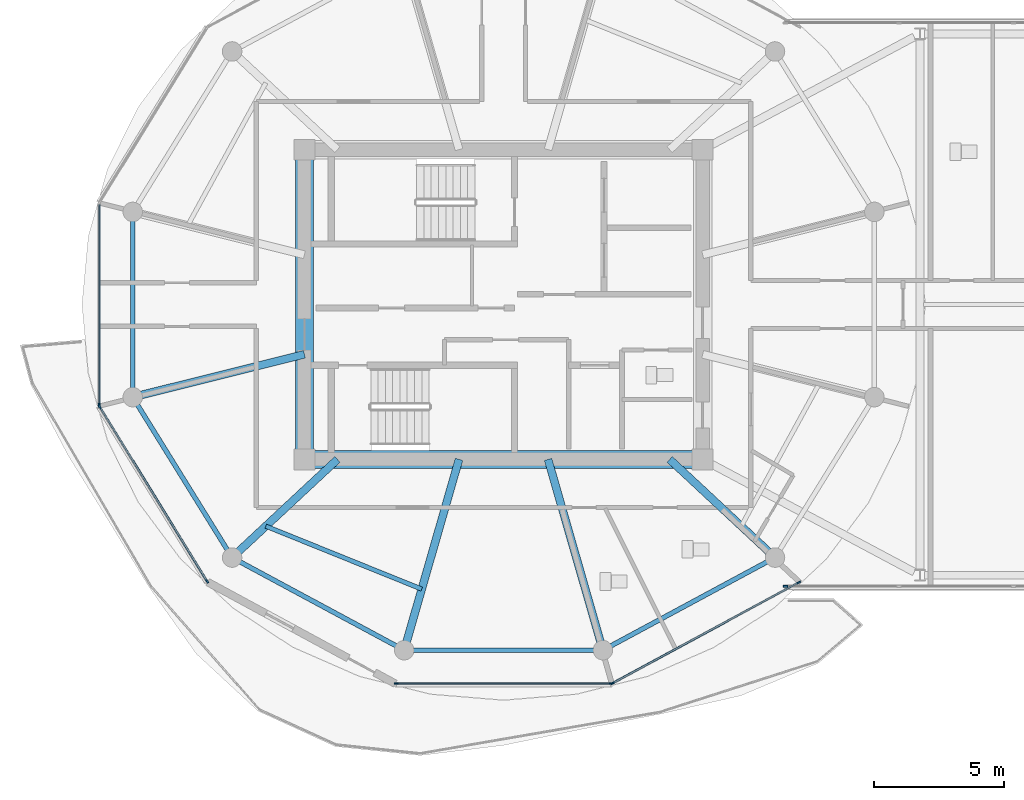
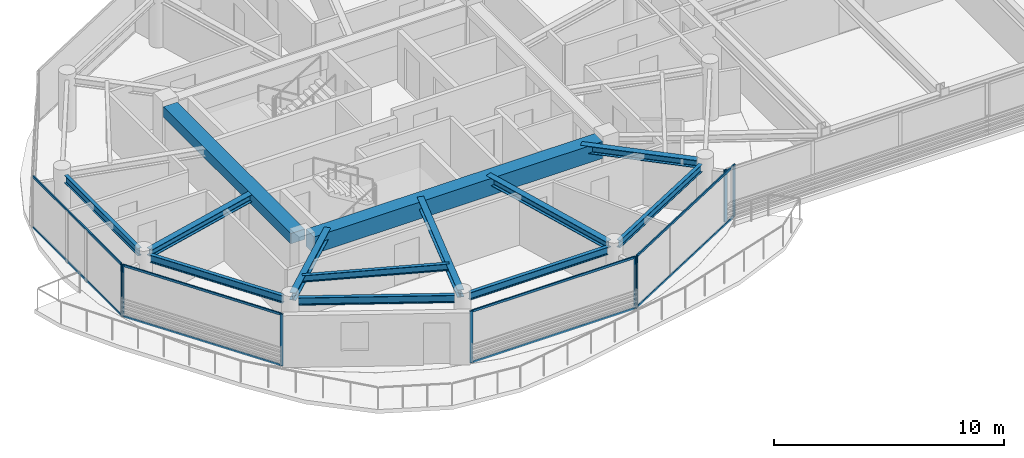
# One storey, part 3 of 24: 16 members, 13 beams, 5 elements without a shape of their own.
"""IFC4 building model written with IfcOpenShell, lengths in metres."""

from ifc_helpers import new_model, si_unit, direction, frame, origin, origin_2d, place, context, subcontext, project, spatial, rectangle, i_section, extrude, source, transform, mapped, material, layer, layer_set, material_profile, profile_set, type_object, type_shapes, element, aggregate, save


model = new_model("IFC4")

# Units and contexts
model_context = context("Model", 3, precision=1e-05, world=origin(), true_north=direction((0.0, 1.0)))
body_context = subcontext(model_context, "Body", "Model", "MODEL_VIEW")
ifc_project = project(units=[si_unit("LENGTHUNIT", "METRE"), si_unit("AREAUNIT", "SQUARE_METRE"), si_unit("VOLUMEUNIT", "CUBIC_METRE"), si_unit("PLANEANGLEUNIT", "RADIAN"), si_unit("MASSUNIT", "GRAM", prefix="KILO")], contexts=[model_context])

# Site, building, storey
site_placement = place(None, origin())
site = spatial("IfcSite", under=ifc_project, at=site_placement, CompositionType="ELEMENT")
building_placement = place(site_placement, origin())
building = spatial("IfcBuilding", under=site, at=building_placement, Name="Norrkilde Senior Care Towers", CompositionType="ELEMENT")
storey_placement = place(building_placement, frame((0.0, 0.0, 226.10009765625)))
storey = spatial("IfcBuildingStorey", under=building, at=storey_placement, Name="L70", CompositionType="ELEMENT", Elevation=226.10009765625)

# Beams
ifc_material_1 = material(Name="Concrete C60/75", Category="concrete")
ifc_material_profile_1 = material_profile(ifc_material_1, rectangle(XDim=0.699951171875, YDim=0.89990234375, at=origin_2d()), Name="RC BM 700x900")
ifc_profile_set_1 = profile_set([ifc_material_profile_1], Name="Concrete C60/75")
beam_type_1 = type_object("IfcBeamType", Name="Core Coupling Girder 700x900", PredefinedType="USERDEFINED", material=ifc_profile_set_1)
shared_shape_1 = source(origin(), body_context, "Body", "SweptSolid", [
    extrude(rectangle(XDim=0.699951171875, YDim=0.89990234375, at=origin_2d()), origin(), (0.0, 0.0, 1.0), 14.5400390625),
])
type_shapes(beam_type_1, [shared_shape_1])
beam_1_placement = place(storey_placement, frame((-35.27001953125, -5.949951171875, 2.309814453125), z_axis=(1.0, 0.0, 0.0), x_axis=(0.0, 1.0, 0.0)))
element("IfcBeam", 1, at=beam_1_placement, inside=storey, type_object=beam_type_1, Name="L70 Core W S Coupling Girder", ObjectType="GIRDER", PredefinedType="USERDEFINED", context=body_context, shape_type="MappedRepresentation", body=[
    mapped(shared_shape_1, transform((0.0, 0.0, 0.0), x_axis=(1.0, 0.0, 0.0), y_axis=(0.0, 1.0, 0.0), z_axis=(0.0, 0.0, 1.0), scale=1.0)),
])
ifc_material_profile_2 = material_profile(ifc_material_1, rectangle(XDim=0.699951171875, YDim=0.550048828125, at=origin_2d()), Name="RC BM 700x550")
ifc_profile_set_2 = profile_set([ifc_material_profile_2], Name="Concrete C60/75")
beam_type_2 = type_object("IfcBeamType", Name="Core Portal Coupling Beam 700x550", PredefinedType="USERDEFINED", material=ifc_profile_set_2)
shared_shape_2 = source(origin(), body_context, "Body", "SweptSolid", [
    extrude(rectangle(XDim=0.699951171875, YDim=0.550048828125, at=origin_2d()), origin(), (0.0, 0.0, 1.0), 11.14013671875),
])
type_shapes(beam_type_2, [shared_shape_2])
beam_2_placement = place(storey_placement, frame((-35.64990234375, -5.570068359375, 2.48486328125), z_axis=(0.0, 1.0, 0.0), x_axis=(-1.0, 0.0, 0.0)))
element("IfcBeam", 2, at=beam_2_placement, inside=storey, type_object=beam_type_2, Name="L70 Core W W Coupling Girder", ObjectType="GIRDER", PredefinedType="USERDEFINED", context=body_context, shape_type="MappedRepresentation", body=[
    mapped(shared_shape_2, transform((0.0, 0.0, 0.0), x_axis=(1.0, 0.0, 0.0), y_axis=(0.0, 1.0, 0.0), z_axis=(0.0, 0.0, 1.0), scale=1.0)),
])
ifc_material_2 = material(Name="Steel S355", Category="steel")
ifc_material_profile_3 = material_profile(ifc_material_2, i_section(OverallWidth=0.179931640625, OverallDepth=0.39990234375, WebThickness=0.008544921875, FlangeThickness=0.013427734375, FilletRadius=0.02099609375, at=origin_2d()), Name="IPE 400")
ifc_profile_set_3 = profile_set([ifc_material_profile_3], Name="Steel S355")
beam_type_3 = type_object("IfcBeamType", Name="Perimeter Ring Spandrel Z4 IPE400", PredefinedType="SPANDREL", material=ifc_profile_set_3)
shared_shape_3 = source(origin(), body_context, "Body", "SweptSolid", [
    extrude(i_section(OverallWidth=0.179931640625, OverallDepth=0.39990234375, WebThickness=0.008544921875, FlangeThickness=0.013427734375, FilletRadius=0.02099609375, at=origin_2d()), origin(), (0.0, 0.0, 1.0), 6.58056640625),
])
beam_3_placement = place(storey_placement, frame((-42.071044921875, -3.843505859375, 2.559814453125), z_axis=(0.526529583789, -0.850156807533, 0.0), x_axis=(0.850156807533, 0.526529583789, 0.0)))
element("IfcBeam", 3, at=beam_3_placement, inside=storey, type_object=beam_type_3, Name="L70 Drum W Perimeter Spandrel 07", PredefinedType="SPANDREL", context=body_context, shape_type="MappedRepresentation", body=[
    mapped(shared_shape_3, transform((0.0, 0.0, 0.0), x_axis=(1.0, 0.0, 0.0), y_axis=(0.0, 1.0, 0.0), z_axis=(0.0, 0.0, 1.0), scale=1.0)),
])
ifc_material_profile_4 = material_profile(ifc_material_2, i_section(OverallWidth=0.300048828125, OverallDepth=0.39990234375, WebThickness=0.013427734375, FlangeThickness=0.02392578125, FilletRadius=0.027099609375, at=origin_2d()), Name="HEB 400")
ifc_profile_set_4 = profile_set([ifc_material_profile_4], Name="Steel S355")
beam_type_4 = type_object("IfcBeamType", Name="Radial Floor Beam Z4 HEB400", PredefinedType="BEAM", material=ifc_profile_set_4)
shared_shape_4 = source(origin(), body_context, "Body", "SweptSolid", [
    extrude(i_section(OverallWidth=0.300048828125, OverallDepth=0.39990234375, WebThickness=0.013427734375, FlangeThickness=0.02392578125, FilletRadius=0.027099609375, at=origin_2d()), origin(), (0.0, 0.0, 1.0), 6.465087890625),
])
beam_4_placement = place(storey_placement, frame((-35.64990234375, -1.910888671875, 2.559814453125), z_axis=(-0.970195788563, -0.242322371758, 0.0), x_axis=(0.242322371758, -0.970195788563, 0.0)))
element("IfcBeam", 4, at=beam_4_placement, inside=storey, type_object=beam_type_4, Name="L70 Drum W Radial Floor Beam 07", PredefinedType="BEAM", context=body_context, shape_type="MappedRepresentation", body=[
    mapped(shared_shape_4, transform((0.0, 0.0, 0.0), x_axis=(1.0, 0.0, 0.0), y_axis=(0.0, 1.0, 0.0), z_axis=(0.0, 0.0, 1.0), scale=1.0)),
])
shared_shape_5 = source(origin(), body_context, "Body", "SweptSolid", [
    extrude(i_section(OverallWidth=0.179931640625, OverallDepth=0.39990234375, WebThickness=0.008544921875, FlangeThickness=0.013427734375, FilletRadius=0.02099609375, at=origin_2d()), origin(), (0.0, 0.0, 1.0), 6.839111328125),
])
for number, where, z_axis, x_axis, name in (
    (5, (-38.134765625, -9.881591796875, 2.559814453125), (0.880563930732, -0.473927382511, 0.0), (0.473927382511, 0.880563930732, 0.0), "L70 Drum W Perimeter Spandrel 08"),
    (6, (-23.887451171875, -13.122802734375, 2.559814453125), (0.880563930732, 0.473927382511, 0.0), (-0.473927382511, 0.880563930732, 0.0), "L70 Drum W Perimeter Spandrel 10"),
):
    element("IfcBeam", number, at=place(storey_placement, frame(where, z_axis=z_axis, x_axis=x_axis)), inside=storey, type_object=beam_type_3, Name=name, PredefinedType="SPANDREL", context=body_context, shape_type="MappedRepresentation", body=[
        mapped(shared_shape_5, transform((0.0, 0.0, 0.0), x_axis=(1.0, 0.0, 0.0), y_axis=(0.0, 1.0, 0.0), z_axis=(0.0, 0.0, 1.0), scale=1.0)),
    ])
shared_shape_6 = source(origin(), body_context, "Body", "SweptSolid", [
    extrude(i_section(OverallWidth=0.300048828125, OverallDepth=0.39990234375, WebThickness=0.013427734375, FlangeThickness=0.02392578125, FilletRadius=0.027099609375, at=origin_2d()), origin(), (0.0, 0.0, 1.0), 5.197998046875),
])
for number, where, z_axis, x_axis, name in (
    (7, (-34.3828125, -5.949951171875, 2.559814453125), (-0.731448749334, -0.681896419625, 0.0), (0.681896419625, -0.731448749334, 0.0), "L70 Drum W Radial Floor Beam 08"),
    (8, (-21.6171875, -5.949951171875, 2.559814453125), (0.731448749334, -0.681896419625, 0.0), (0.681896419625, 0.731448749334, 0.0), "L70 Drum W Radial Floor Beam 11"),
):
    element("IfcBeam", number, at=place(storey_placement, frame(where, z_axis=z_axis, x_axis=x_axis)), inside=storey, type_object=beam_type_4, Name=name, PredefinedType="BEAM", context=body_context, shape_type="MappedRepresentation", body=[
        mapped(shared_shape_6, transform((0.0, 0.0, 0.0), x_axis=(1.0, 0.0, 0.0), y_axis=(0.0, 1.0, 0.0), z_axis=(0.0, 0.0, 1.0), scale=1.0)),
    ])
shared_shape_7 = source(origin(), body_context, "Body", "SweptSolid", [
    extrude(i_section(OverallWidth=0.179931640625, OverallDepth=0.39990234375, WebThickness=0.008544921875, FlangeThickness=0.013427734375, FilletRadius=0.02099609375, at=origin_2d()), origin(), (0.0, 0.0, 1.0), 6.96533203125),
])
beam_5_placement = place(storey_placement, frame((-31.482666015625, -13.281494140625, 2.559814453125), z_axis=(1.0, 0.0, 0.0), x_axis=(0.0, 1.0, 0.0)))
element("IfcBeam", 9, at=beam_5_placement, inside=storey, type_object=beam_type_3, Name="L70 Drum W Perimeter Spandrel 09", PredefinedType="SPANDREL", context=body_context, shape_type="MappedRepresentation", body=[
    mapped(shared_shape_7, transform((0.0, 0.0, 0.0), x_axis=(1.0, 0.0, 0.0), y_axis=(0.0, 1.0, 0.0), z_axis=(0.0, 0.0, 1.0), scale=1.0)),
])
shared_shape_8 = source(origin(), body_context, "Body", "SweptSolid", [
    extrude(i_section(OverallWidth=0.300048828125, OverallDepth=0.39990234375, WebThickness=0.013427734375, FlangeThickness=0.02392578125, FilletRadius=0.027099609375, at=origin_2d()), origin(), (0.0, 0.0, 1.0), 7.29345703125),
])
type_shapes(beam_type_4, [shared_shape_4, shared_shape_6, shared_shape_8])
for number, where, z_axis, x_axis, name in (
    (10, (-29.710205078125, -5.949951171875, 2.559814453125), (-0.276263751906, -0.961081858836, 0.0), (0.961081858836, -0.276263751906, 0.0), "L70 Drum W Radial Floor Beam 09"),
    (11, (-26.289794921875, -5.949951171875, 2.559814453125), (0.276263751906, -0.961081858836, 0.0), (0.961081858836, 0.276263751906, 0.0), "L70 Drum W Radial Floor Beam 10"),
):
    element("IfcBeam", number, at=place(storey_placement, frame(where, z_axis=z_axis, x_axis=x_axis)), inside=storey, type_object=beam_type_4, Name=name, PredefinedType="BEAM", context=body_context, shape_type="MappedRepresentation", body=[
        mapped(shared_shape_8, transform((0.0, 0.0, 0.0), x_axis=(1.0, 0.0, 0.0), y_axis=(0.0, 1.0, 0.0), z_axis=(0.0, 0.0, 1.0), scale=1.0)),
    ])
shared_shape_9 = source(origin(), body_context, "Body", "SweptSolid", [
    extrude(i_section(OverallWidth=0.179931640625, OverallDepth=0.39990234375, WebThickness=0.008544921875, FlangeThickness=0.013427734375, FilletRadius=0.02099609375, at=origin_2d()), origin(), (0.0, 0.0, 1.0), 6.44775390625),
])
type_shapes(beam_type_3, [shared_shape_3, shared_shape_5, shared_shape_7, shared_shape_9])
beam_6_placement = place(storey_placement, frame((-42.247314453125, 3.223876953125, 2.559814453125), z_axis=(0.0, -1.0, 0.0), x_axis=(1.0, 0.0, 0.0)))
element("IfcBeam", 12, at=beam_6_placement, inside=storey, type_object=beam_type_3, Name="L70 Drum W Perimeter Spandrel 06", PredefinedType="SPANDREL", context=body_context, shape_type="MappedRepresentation", body=[
    mapped(shared_shape_9, transform((0.0, 0.0, 0.0), x_axis=(1.0, 0.0, 0.0), y_axis=(0.0, 1.0, 0.0), z_axis=(0.0, 0.0, 1.0), scale=1.0)),
])
ifc_material_profile_5 = material_profile(ifc_material_2, i_section(OverallWidth=0.169921875, OverallDepth=0.360107421875, WebThickness=0.008056640625, FlangeThickness=0.0126953125, FilletRadius=0.01806640625, at=origin_2d()), Name="IPE 360")
ifc_profile_set_5 = profile_set([ifc_material_profile_5], Name="Steel S355")
beam_type_5 = type_object("IfcBeamType", Name="Secondary Floor Joist IPE360", PredefinedType="JOIST", material=ifc_profile_set_5)
shared_shape_10 = source(origin(), body_context, "Body", "SweptSolid", [
    extrude(i_section(OverallWidth=0.169921875, OverallDepth=0.360107421875, WebThickness=0.008056640625, FlangeThickness=0.0126953125, FilletRadius=0.01806640625, at=origin_2d()), origin(), (0.0, 0.0, 1.0), 6.461669921875),
])
type_shapes(beam_type_5, [shared_shape_10])
beam_7_placement = place(storey_placement, frame((-37.134765625, -8.515380859375, 2.579833984375), z_axis=(0.927225942298, -0.374502405772, 0.0), x_axis=(0.374502405772, 0.927225942298, 0.0)))
element("IfcBeam", 13, at=beam_7_placement, inside=storey, type_object=beam_type_5, Name="L70 Drum W Secondary Floor Joist 3", PredefinedType="JOIST", context=body_context, shape_type="MappedRepresentation", body=[
    mapped(shared_shape_10, transform((0.0, 0.0, 0.0), x_axis=(1.0, 0.0, 0.0), y_axis=(0.0, 1.0, 0.0), z_axis=(0.0, 0.0, 1.0), scale=1.0)),
])

# Curtain wall, members
ifc_material_3 = material(Name="Triple Low-E Insulated Glazing", Category="glass")
ifc_layer_1 = layer(ifc_material_3, 0.18505859375)
ifc_layer_set_1 = layer_set([ifc_layer_1], Name="Triple Low-E Insulated Glazing")
curtain_wall_type_1 = type_object("IfcCurtainWallType", Name="CW6 Zone 4 Crown Pavilion Curtain Wall", PredefinedType="NOTDEFINED", material=ifc_layer_set_1)
curtain_wall_1_placement = place(storey_placement, origin())
curtain_wall_1 = element("IfcCurtainWall", 14, at=curtain_wall_1_placement, inside=storey, type_object=curtain_wall_type_1, Name="L70 Drum W Curtain Wall 06", PredefinedType="NOTDEFINED")
ifc_material_4 = material(Name="Anodised Aluminium", Category="aluminium")
ifc_material_profile_6 = material_profile(ifc_material_4, rectangle(XDim=0.06005859375, YDim=0.1201171875, at=origin_2d()), Name="ALU TRAN 60x120")
ifc_profile_set_6 = profile_set([ifc_material_profile_6], Name="Anodised Aluminium")
member_type_1 = type_object("IfcMemberType", Name="Curtain Wall Transom Typical 60x120", PredefinedType="USERDEFINED", material=ifc_profile_set_6)
shared_shape_11 = source(origin(), body_context, "Body", "SweptSolid", [
    extrude(rectangle(XDim=0.06005859375, YDim=0.1201171875, at=origin_2d()), origin(), (0.0, 0.0, 1.0), 7.808837890625),
])
member_1_placement = place(storey_placement, frame((-39.404296875, -10.60791015625, 0.02978515625), z_axis=(-0.524250924101, 0.851563837055, 0.0), x_axis=(-0.851563837055, -0.524250924101, 0.0)))
member_1 = element("IfcMember", 15, at=member_1_placement, type_object=member_type_1, Name="CW-6 transom 1.1", ObjectType="TRANSOM", PredefinedType="USERDEFINED", context=body_context, shape_type="MappedRepresentation", body=[
    mapped(shared_shape_11, transform((0.0, 0.0, 0.0), x_axis=(1.0, 0.0, 0.0), y_axis=(0.0, 1.0, 0.0), z_axis=(0.0, 0.0, 1.0), scale=1.0)),
])
member_2_placement = place(storey_placement, frame((-39.404296875, -10.60791015625, 2.72998046875), z_axis=(-0.524250924101, 0.851563837055, 0.0), x_axis=(-0.851563837055, -0.524250924101, 0.0)))
member_2 = element("IfcMember", 16, at=member_2_placement, type_object=member_type_1, Name="CW-6 transom 1.2", ObjectType="TRANSOM", PredefinedType="USERDEFINED", context=body_context, shape_type="MappedRepresentation", body=[
    mapped(shared_shape_11, transform((0.0, 0.0, 0.0), x_axis=(1.0, 0.0, 0.0), y_axis=(0.0, 1.0, 0.0), z_axis=(0.0, 0.0, 1.0), scale=1.0)),
])

curtain_wall_2_placement = place(storey_placement, origin())
curtain_wall_2 = element("IfcCurtainWall", 17, at=curtain_wall_2_placement, inside=storey, type_object=curtain_wall_type_1, Name="L70 Drum W Curtain Wall 08", PredefinedType="NOTDEFINED")
shared_shape_12 = source(origin(), body_context, "Body", "SweptSolid", [
    extrude(rectangle(XDim=0.06005859375, YDim=0.1201171875, at=origin_2d()), origin(), (0.0, 0.0, 1.0), 8.19384765625),
])
member_3_placement = place(storey_placement, frame((-23.903076171875, -14.566162109375, 0.02978515625), z_axis=(-1.0, 0.0, 0.0), x_axis=(0.0, -1.0, 0.0)))
member_3 = element("IfcMember", 18, at=member_3_placement, type_object=member_type_1, Name="CW-6 transom 1.1", ObjectType="TRANSOM", PredefinedType="USERDEFINED", context=body_context, shape_type="MappedRepresentation", body=[
    mapped(shared_shape_12, transform((0.0, 0.0, 0.0), x_axis=(1.0, 0.0, 0.0), y_axis=(0.0, 1.0, 0.0), z_axis=(0.0, 0.0, 1.0), scale=1.0)),
])
member_4_placement = place(storey_placement, frame((-23.903076171875, -14.566162109375, 2.72998046875), z_axis=(-1.0, 0.0, 0.0), x_axis=(0.0, -1.0, 0.0)))
member_4 = element("IfcMember", 19, at=member_4_placement, type_object=member_type_1, Name="CW-6 transom 1.2", ObjectType="TRANSOM", PredefinedType="USERDEFINED", context=body_context, shape_type="MappedRepresentation", body=[
    mapped(shared_shape_12, transform((0.0, 0.0, 0.0), x_axis=(1.0, 0.0, 0.0), y_axis=(0.0, 1.0, 0.0), z_axis=(0.0, 0.0, 1.0), scale=1.0)),
])

curtain_wall_3_placement = place(storey_placement, origin())
curtain_wall_3 = element("IfcCurtainWall", 20, at=curtain_wall_3_placement, inside=storey, type_object=curtain_wall_type_1, Name="L70 Drum W Curtain Wall 09", PredefinedType="NOTDEFINED")
shared_shape_13 = source(origin(), body_context, "Body", "SweptSolid", [
    extrude(rectangle(XDim=0.06005859375, YDim=0.1201171875, at=origin_2d()), origin(), (0.0, 0.0, 1.0), 8.0673828125),
])
member_5_placement = place(storey_placement, frame((-16.686767578125, -10.694091796875, 0.02978515625), z_axis=(-0.87937750072, -0.476125205411, 0.0), x_axis=(0.476125205411, -0.87937750072, 0.0)))
member_5 = element("IfcMember", 21, at=member_5_placement, type_object=member_type_1, Name="CW-6 transom 1.1", ObjectType="TRANSOM", PredefinedType="USERDEFINED", context=body_context, shape_type="MappedRepresentation", body=[
    mapped(shared_shape_13, transform((0.0, 0.0, 0.0), x_axis=(1.0, 0.0, 0.0), y_axis=(0.0, 1.0, 0.0), z_axis=(0.0, 0.0, 1.0), scale=1.0)),
])
member_6_placement = place(storey_placement, frame((-16.686767578125, -10.694091796875, 2.72998046875), z_axis=(-0.87937750072, -0.476125205411, 0.0), x_axis=(0.476125205411, -0.87937750072, 0.0)))
member_6 = element("IfcMember", 22, at=member_6_placement, type_object=member_type_1, Name="CW-6 transom 1.2", ObjectType="TRANSOM", PredefinedType="USERDEFINED", context=body_context, shape_type="MappedRepresentation", body=[
    mapped(shared_shape_13, transform((0.0, 0.0, 0.0), x_axis=(1.0, 0.0, 0.0), y_axis=(0.0, 1.0, 0.0), z_axis=(0.0, 0.0, 1.0), scale=1.0)),
])

curtain_wall_4_placement = place(storey_placement, origin())
curtain_wall_4 = element("IfcCurtainWall", 23, at=curtain_wall_4_placement, inside=storey, type_object=curtain_wall_type_1, Name="L70 Drum W Curtain Wall 05", PredefinedType="NOTDEFINED")
shared_shape_14 = source(origin(), body_context, "Body", "SweptSolid", [
    extrude(rectangle(XDim=0.06005859375, YDim=0.1201171875, at=origin_2d()), origin(), (0.0, 0.0, 1.0), 7.67578125),
])
type_shapes(member_type_1, [shared_shape_11, shared_shape_12, shared_shape_13, shared_shape_14])
member_7_placement = place(storey_placement, frame((-43.531982421875, -3.837890625, 0.02978515625), z_axis=(0.0, 1.0, 0.0), x_axis=(-1.0, 0.0, 0.0)))
member_7 = element("IfcMember", 24, at=member_7_placement, type_object=member_type_1, Name="CW-6 transom 1.1", ObjectType="TRANSOM", PredefinedType="USERDEFINED", context=body_context, shape_type="MappedRepresentation", body=[
    mapped(shared_shape_14, transform((0.0, 0.0, 0.0), x_axis=(1.0, 0.0, 0.0), y_axis=(0.0, 1.0, 0.0), z_axis=(0.0, 0.0, 1.0), scale=1.0)),
])
member_8_placement = place(storey_placement, frame((-43.531982421875, -3.837890625, 2.72998046875), z_axis=(0.0, 1.0, 0.0), x_axis=(-1.0, 0.0, 0.0)))
member_8 = element("IfcMember", 25, at=member_8_placement, type_object=member_type_1, Name="CW-6 transom 1.2", ObjectType="TRANSOM", PredefinedType="USERDEFINED", context=body_context, shape_type="MappedRepresentation", body=[
    mapped(shared_shape_14, transform((0.0, 0.0, 0.0), x_axis=(1.0, 0.0, 0.0), y_axis=(0.0, 1.0, 0.0), z_axis=(0.0, 0.0, 1.0), scale=1.0)),
])
ifc_material_profile_7 = material_profile(ifc_material_4, rectangle(XDim=0.06494140625, YDim=0.14990234375, at=origin_2d()), Name="ALU MULL 65x150")
ifc_profile_set_7 = profile_set([ifc_material_profile_7], Name="Anodised Aluminium")
member_type_2 = type_object("IfcMemberType", Name="Curtain Wall Mullion Z3-Z4 65x150", PredefinedType="MULLION", material=ifc_profile_set_7)
shared_shape_15 = source(origin(), body_context, "Body", "SweptSolid", [
    extrude(rectangle(XDim=0.06494140625, YDim=0.14990234375, at=origin_2d()), origin(), (0.0, 0.0, 1.0), 2.760009765625),
])
type_shapes(member_type_2, [shared_shape_15])
member_9_placement = place(storey_placement, frame((-43.531982421875, -3.87060546875, 0.0), z_axis=(0.0, 0.0, 1.0), x_axis=(-1.0, 0.0, 0.0)))
member_9 = element("IfcMember", 26, at=member_9_placement, type_object=member_type_2, Name="CW-6 mullion 1", PredefinedType="MULLION", context=body_context, shape_type="MappedRepresentation", body=[
    mapped(shared_shape_15, transform((0.0, 0.0, 0.0), x_axis=(1.0, 0.0, 0.0), y_axis=(0.0, 1.0, 0.0), z_axis=(0.0, 0.0, 1.0), scale=1.0)),
])
aggregate(curtain_wall_4, [member_9, member_7, member_8])

# Member
member_10_placement = place(storey_placement, frame((-39.38720703125, -10.635498046875, 0.0), z_axis=(0.0, 0.0, 1.0), x_axis=(-0.851562727283, -0.524252726748, 0.0)))
member_10 = element("IfcMember", 27, at=member_10_placement, type_object=member_type_2, Name="CW-6 mullion 1", PredefinedType="MULLION", context=body_context, shape_type="MappedRepresentation", body=[
    mapped(shared_shape_15, transform((0.0, 0.0, 0.0), x_axis=(1.0, 0.0, 0.0), y_axis=(0.0, 1.0, 0.0), z_axis=(0.0, 0.0, 1.0), scale=1.0)),
])

member_11_placement = place(storey_placement, frame((-43.51513671875, -3.9306640625, 0.0), z_axis=(0.0, 0.0, 1.0), x_axis=(-0.851562727283, -0.524252726748, 0.0)))
member_11 = element("IfcMember", 28, at=member_11_placement, type_object=member_type_2, Name="CW-6 mullion 2", PredefinedType="MULLION", context=body_context, shape_type="MappedRepresentation", body=[
    mapped(shared_shape_15, transform((0.0, 0.0, 0.0), x_axis=(1.0, 0.0, 0.0), y_axis=(0.0, 1.0, 0.0), z_axis=(0.0, 0.0, 1.0), scale=1.0)),
])

aggregate(curtain_wall_1, [member_10, member_11, member_1, member_2])

member_12_placement = place(storey_placement, frame((-23.87060546875, -14.566162109375, 0.0), z_axis=(0.0, 0.0, 1.0), x_axis=(0.0, -1.0, 0.0)))
member_12 = element("IfcMember", 29, at=member_12_placement, type_object=member_type_2, Name="CW-6 mullion 1", PredefinedType="MULLION", context=body_context, shape_type="MappedRepresentation", body=[
    mapped(shared_shape_15, transform((0.0, 0.0, 0.0), x_axis=(1.0, 0.0, 0.0), y_axis=(0.0, 1.0, 0.0), z_axis=(0.0, 0.0, 1.0), scale=1.0)),
])

member_13_placement = place(storey_placement, frame((-32.12939453125, -14.566162109375, 0.0), z_axis=(0.0, 0.0, 1.0), x_axis=(0.0, -1.0, 0.0)))
member_13 = element("IfcMember", 30, at=member_13_placement, type_object=member_type_2, Name="CW-6 mullion 2", PredefinedType="MULLION", context=body_context, shape_type="MappedRepresentation", body=[
    mapped(shared_shape_15, transform((0.0, 0.0, 0.0), x_axis=(1.0, 0.0, 0.0), y_axis=(0.0, 1.0, 0.0), z_axis=(0.0, 0.0, 1.0), scale=1.0)),
])

aggregate(curtain_wall_2, [member_12, member_13, member_3, member_4])

member_14_placement = place(storey_placement, frame((-16.658203125, -10.6787109375, 0.0), z_axis=(0.0, 0.0, 1.0), x_axis=(0.476132676136, -0.879373455772, 0.0)))
member_14 = element("IfcMember", 31, at=member_14_placement, type_object=member_type_2, Name="CW-6 mullion 1", PredefinedType="MULLION", context=body_context, shape_type="MappedRepresentation", body=[
    mapped(shared_shape_15, transform((0.0, 0.0, 0.0), x_axis=(1.0, 0.0, 0.0), y_axis=(0.0, 1.0, 0.0), z_axis=(0.0, 0.0, 1.0), scale=1.0)),
])

member_15_placement = place(storey_placement, frame((-23.8095703125, -14.55078125, 0.0), z_axis=(0.0, 0.0, 1.0), x_axis=(0.476132676136, -0.879373455772, 0.0)))
member_15 = element("IfcMember", 32, at=member_15_placement, type_object=member_type_2, Name="CW-6 mullion 2", PredefinedType="MULLION", context=body_context, shape_type="MappedRepresentation", body=[
    mapped(shared_shape_15, transform((0.0, 0.0, 0.0), x_axis=(1.0, 0.0, 0.0), y_axis=(0.0, 1.0, 0.0), z_axis=(0.0, 0.0, 1.0), scale=1.0)),
])

aggregate(curtain_wall_3, [member_14, member_15, member_5, member_6])

# Curtain wall, member
ifc_layer_2 = layer(ifc_material_3, 0.2099609375)
ifc_layer_set_2 = layer_set([ifc_layer_2], Name="Triple Low-E Insulated Glazing")
curtain_wall_type_2 = type_object("IfcCurtainWallType", Name="CW5 Sky-Gate Bridge Curtain Wall", PredefinedType="NOTDEFINED", material=ifc_layer_set_2)
curtain_wall_5_placement = place(storey_placement, origin())
curtain_wall_5 = element("IfcCurtainWall", 33, at=curtain_wall_5_placement, inside=storey, type_object=curtain_wall_type_2, Name="L70 Sky-Gate Bridge South Curtain Wall 3", PredefinedType="NOTDEFINED")
ifc_material_profile_8 = material_profile(ifc_material_4, rectangle(XDim=0.070068359375, YDim=0.169921875, at=origin_2d()), Name="ALU MULL 70x170")
ifc_profile_set_8 = profile_set([ifc_material_profile_8], Name="Anodised Aluminium")
member_type_3 = type_object("IfcMemberType", Name="Curtain Wall Mullion Heavy 70x170", PredefinedType="MULLION", material=ifc_profile_set_8)
shared_shape_16 = source(origin(), body_context, "Body", "SweptSolid", [
    extrude(rectangle(XDim=0.070068359375, YDim=0.169921875, at=origin_2d()), origin(), (0.0, 0.0, 1.0), 2.760009765625),
])
type_shapes(member_type_3, [shared_shape_16])
member_16_placement = place(storey_placement, frame((-17.1650390625, -10.820068359375, 0.0), z_axis=(0.0, 0.0, 1.0), x_axis=(0.0, -1.0, 0.0)))
member_16 = element("IfcMember", 34, at=member_16_placement, type_object=member_type_3, Name="CW-5 mullion 4", PredefinedType="MULLION", context=body_context, shape_type="MappedRepresentation", body=[
    mapped(shared_shape_16, transform((0.0, 0.0, 0.0), x_axis=(1.0, 0.0, 0.0), y_axis=(0.0, 1.0, 0.0), z_axis=(0.0, 0.0, 1.0), scale=1.0)),
])
aggregate(curtain_wall_5, [member_16])

save(model, "model.ifc")
